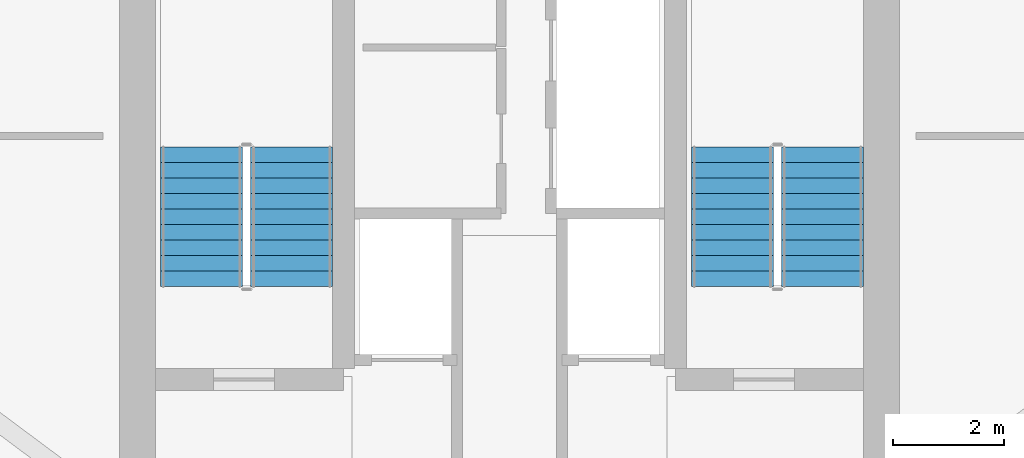
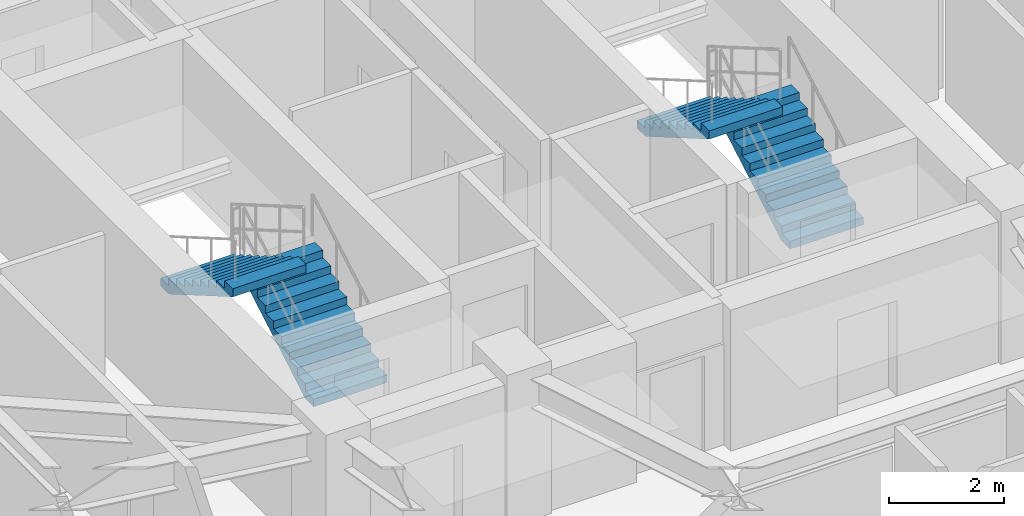
# One storey, part 31 of 33: 4 stair flights, 2 elements without a shape of their own.
"""IFC4 building model written with IfcOpenShell, lengths in metres."""

from ifc_helpers import new_model, si_unit, direction, frame, origin, place, context, subcontext, project, spatial, polyline, outline, extrude, material, type_object, element, aggregate, save


model = new_model("IFC4")

# Units and contexts
model_context = context("Model", 3, precision=1e-05, world=origin(), true_north=direction((0.0, 1.0)))
body_context = subcontext(model_context, "Body", "Model", "MODEL_VIEW")
ifc_project = project(units=[si_unit("LENGTHUNIT", "METRE"), si_unit("AREAUNIT", "SQUARE_METRE"), si_unit("VOLUMEUNIT", "CUBIC_METRE"), si_unit("PLANEANGLEUNIT", "RADIAN"), si_unit("MASSUNIT", "GRAM", prefix="KILO")], contexts=[model_context])

# Site, building, storey
site_placement = place(None, origin())
site = spatial("IfcSite", under=ifc_project, at=site_placement, CompositionType="ELEMENT")
building_placement = place(site_placement, origin())
building = spatial("IfcBuilding", under=site, at=building_placement, Name="Veraguas Prism Commons", CompositionType="ELEMENT")
storey_placement = place(building_placement, frame((0.0, 0.0, 145.75)))
storey = spatial("IfcBuildingStorey", under=building, at=storey_placement, Name="L41", CompositionType="ELEMENT", Elevation=145.75)

# Stair, stair flights
ifc_material = material(Name="Precast concrete C45/55", Category="concrete")
stair_type = type_object("IfcStairType", Name="Dogleg Core Stair 1480W 20R 05", PredefinedType="HALF_TURN_STAIR", material=ifc_material)
stair_1_placement = place(storey_placement, origin())
stair_1 = element("IfcStair", 1, at=stair_1_placement, inside=storey, type_object=stair_type, Name="Protected Exit Stair ST-01 L41", PredefinedType="HALF_TURN_STAIR")
stair_flight_type = type_object("IfcStairFlightType", Name="Precast Stair Flight 1480W 10R 05", PredefinedType="STRAIGHT", material=ifc_material)
stair_flight_1_placement = place(storey_placement, frame((20.06005859375, 21.280029296875, 0.0), z_axis=(0.0, 0.0, 1.0), x_axis=(0.0, 1.0, 0.0)))
stair_flight_1 = element("IfcStairFlight", 2, at=stair_flight_1_placement, type_object=stair_flight_type, Name="ST-05 Flight 1", NumberOfRisers=10, NumberOfTreads=9, PredefinedType="STRAIGHT", RiserHeight=0.1625, TreadLength=0.28, context=body_context, shape_type="SweptSolid", body=[
    extrude(outline(polyline([(0.0, 0.0), (0.0, 0.16259765625), (0.280029296875, 0.16259765625), (0.280029296875, 0.324951171875), (0.56005859375, 0.324951171875), (0.56005859375, 0.487548828125), (0.840087890625, 0.487548828125), (0.840087890625, 0.64990234375), (1.1201171875, 0.64990234375), (1.1201171875, 0.8125), (1.39990234375, 0.8125), (1.39990234375, 0.97509765625), (1.679931640625, 0.97509765625), (1.679931640625, 1.137451171875), (1.9599609375, 1.137451171875), (1.9599609375, 1.300048828125), (2.239990234375, 1.300048828125), (2.239990234375, 1.46240234375), (2.52001953125, 1.46240234375), (2.52001953125, 1.625), (2.52001953125, 1.2890625), (0.298583984375, 0.0), (0.0, 0.0)])), frame((0.0, 0.739990234375, 0.0), z_axis=(0.0, -1.0, 0.0), x_axis=(1.0, 0.0, 0.0)), (0.0, 0.0, 1.0), 1.47998046875),
])
stair_flight_2_placement = place(storey_placement, frame((18.429931640625, 23.800048828125, 1.625), z_axis=(0.0, 0.0, 1.0), x_axis=(0.0, -1.0, 0.0)))
stair_flight_2 = element("IfcStairFlight", 3, at=stair_flight_2_placement, type_object=stair_flight_type, Name="ST-05 Flight 2", NumberOfRisers=10, NumberOfTreads=9, PredefinedType="STRAIGHT", RiserHeight=0.1625, TreadLength=0.28, context=body_context, shape_type="SweptSolid", body=[
    extrude(outline(polyline([(0.0, 0.0), (0.0, 0.16259765625), (0.280029296875, 0.16259765625), (0.280029296875, 0.324951171875), (0.56005859375, 0.324951171875), (0.56005859375, 0.487548828125), (0.840087890625, 0.487548828125), (0.840087890625, 0.64990234375), (1.1201171875, 0.64990234375), (1.1201171875, 0.8125), (1.39990234375, 0.8125), (1.39990234375, 0.97509765625), (1.679931640625, 0.97509765625), (1.679931640625, 1.137451171875), (1.9599609375, 1.137451171875), (1.9599609375, 1.300048828125), (2.239990234375, 1.300048828125), (2.239990234375, 1.46240234375), (2.52001953125, 1.46240234375), (2.52001953125, 1.625), (2.52001953125, 1.2890625), (0.298583984375, 0.0), (0.0, 0.0)])), frame((0.0, 0.739990234375, 0.0), z_axis=(0.0, -1.0, 0.0), x_axis=(1.0, 0.0, 0.0)), (0.0, 0.0, 1.0), 1.47998046875),
])
aggregate(stair_1, [stair_flight_1, stair_flight_2])

stair_2_placement = place(storey_placement, origin())
stair_2 = element("IfcStair", 4, at=stair_2_placement, inside=storey, type_object=stair_type, Name="Protected Exit Stair ST-02 L41", PredefinedType="HALF_TURN_STAIR")
stair_flight_3_placement = place(storey_placement, frame((29.659912109375, 21.280029296875, 0.0), z_axis=(0.0, 0.0, 1.0), x_axis=(0.0, 1.0, 0.0)))
stair_flight_3 = element("IfcStairFlight", 5, at=stair_flight_3_placement, type_object=stair_flight_type, Name="ST-05 Flight 1", NumberOfRisers=10, NumberOfTreads=9, PredefinedType="STRAIGHT", RiserHeight=0.1625, TreadLength=0.28, context=body_context, shape_type="SweptSolid", body=[
    extrude(outline(polyline([(0.0, 0.0), (0.0, 0.16259765625), (0.280029296875, 0.16259765625), (0.280029296875, 0.324951171875), (0.56005859375, 0.324951171875), (0.56005859375, 0.487548828125), (0.840087890625, 0.487548828125), (0.840087890625, 0.64990234375), (1.1201171875, 0.64990234375), (1.1201171875, 0.8125), (1.39990234375, 0.8125), (1.39990234375, 0.97509765625), (1.679931640625, 0.97509765625), (1.679931640625, 1.137451171875), (1.9599609375, 1.137451171875), (1.9599609375, 1.300048828125), (2.239990234375, 1.300048828125), (2.239990234375, 1.46240234375), (2.52001953125, 1.46240234375), (2.52001953125, 1.625), (2.52001953125, 1.2890625), (0.298583984375, 0.0), (0.0, 0.0)])), frame((0.0, 0.739990234375, 0.0), z_axis=(0.0, -1.0, 0.0), x_axis=(1.0, 0.0, 0.0)), (0.0, 0.0, 1.0), 1.47998046875),
])
stair_flight_4_placement = place(storey_placement, frame((28.030029296875, 23.800048828125, 1.625), z_axis=(0.0, 0.0, 1.0), x_axis=(0.0, -1.0, 0.0)))
stair_flight_4 = element("IfcStairFlight", 6, at=stair_flight_4_placement, type_object=stair_flight_type, Name="ST-05 Flight 2", NumberOfRisers=10, NumberOfTreads=9, PredefinedType="STRAIGHT", RiserHeight=0.1625, TreadLength=0.28, context=body_context, shape_type="SweptSolid", body=[
    extrude(outline(polyline([(0.0, 0.0), (0.0, 0.16259765625), (0.280029296875, 0.16259765625), (0.280029296875, 0.324951171875), (0.56005859375, 0.324951171875), (0.56005859375, 0.487548828125), (0.840087890625, 0.487548828125), (0.840087890625, 0.64990234375), (1.1201171875, 0.64990234375), (1.1201171875, 0.8125), (1.39990234375, 0.8125), (1.39990234375, 0.97509765625), (1.679931640625, 0.97509765625), (1.679931640625, 1.137451171875), (1.9599609375, 1.137451171875), (1.9599609375, 1.300048828125), (2.239990234375, 1.300048828125), (2.239990234375, 1.46240234375), (2.52001953125, 1.46240234375), (2.52001953125, 1.625), (2.52001953125, 1.2890625), (0.298583984375, 0.0), (0.0, 0.0)])), frame((0.0, 0.739990234375, 0.0), z_axis=(0.0, -1.0, 0.0), x_axis=(1.0, 0.0, 0.0)), (0.0, 0.0, 1.0), 1.47998046875),
])
aggregate(stair_2, [stair_flight_3, stair_flight_4])

save(model, "model.ifc")
